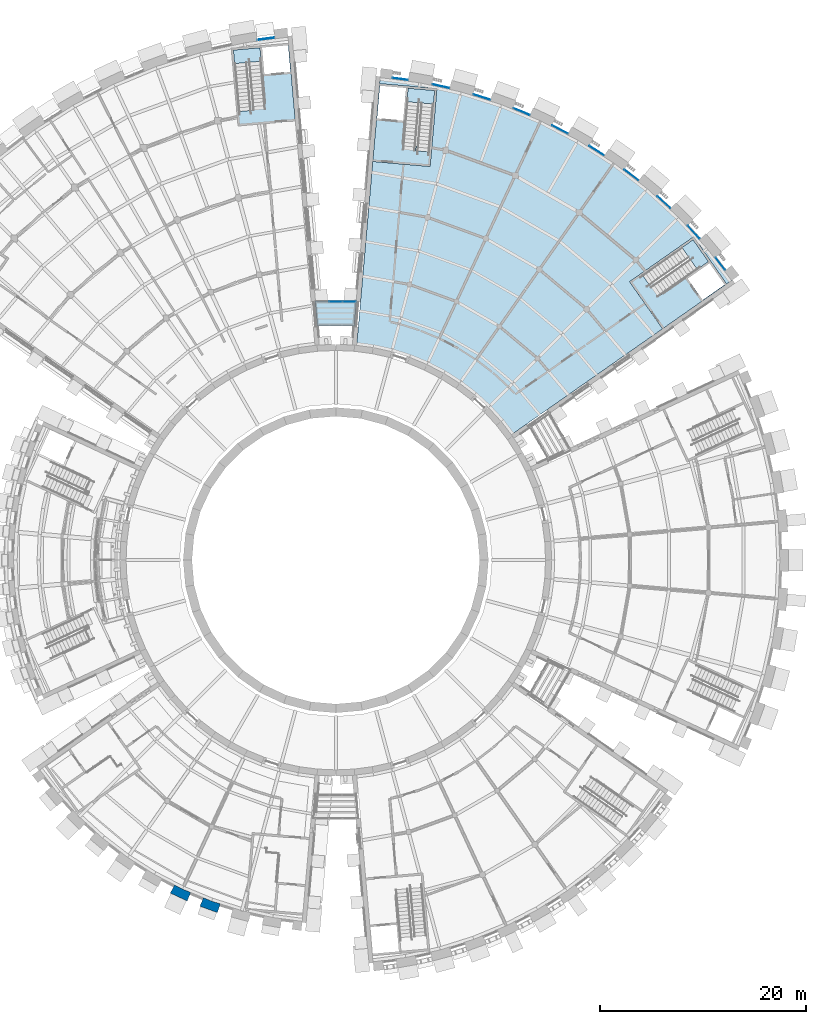
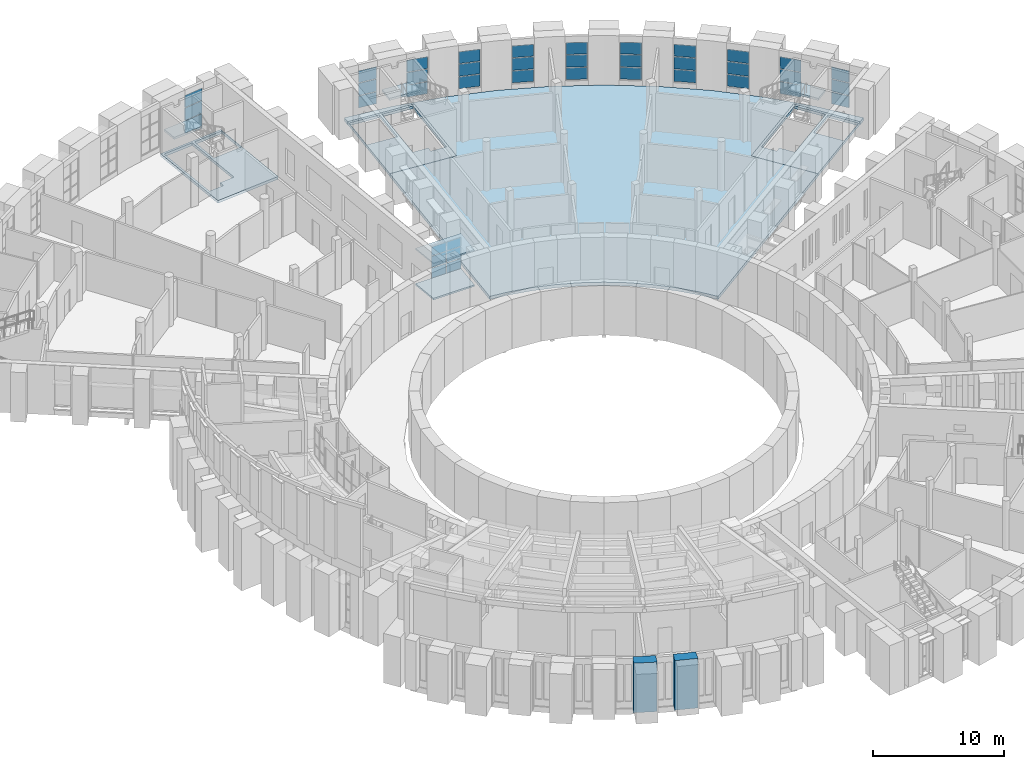
# One storey, part 35 of 66: 39 plates, 9 slabs, 2 walls, 15 elements without a shape of their own.
"""IFC4 building model written with IfcOpenShell, lengths in metres."""

from ifc_helpers import new_model, si_unit, direction, frame, origin, origin_2d, place, context, subcontext, project, spatial, polyline, rectangle, outline, extrude, material, layer, layer_set, type_object, element, aggregate, save


model = new_model("IFC4")

# Units and contexts
model_context = context("Model", 3, precision=1e-05, world=origin(), true_north=direction((0.0, 1.0)))
body_context = subcontext(model_context, "Body", "Model", "MODEL_VIEW")
ifc_project = project(units=[si_unit("LENGTHUNIT", "METRE"), si_unit("AREAUNIT", "SQUARE_METRE"), si_unit("VOLUMEUNIT", "CUBIC_METRE"), si_unit("PLANEANGLEUNIT", "RADIAN"), si_unit("MASSUNIT", "GRAM", prefix="KILO")], contexts=[model_context])

# Site, building, storey
site_placement = place(None, origin())
site = spatial("IfcSite", under=ifc_project, at=site_placement, CompositionType="ELEMENT")
building_placement = place(site_placement, origin())
building = spatial("IfcBuilding", under=site, at=building_placement, Name="Volute Hill Aquarium", CompositionType="ELEMENT")
storey_placement = place(building_placement, frame((0.0, 0.0, 4.60009765625)))
storey = spatial("IfcBuildingStorey", under=building, at=storey_placement, Name="L02", CompositionType="ELEMENT", Elevation=4.60009765625)

# Slab
ifc_material_1 = material(Name="Concrete C30/37", Category="concrete")
ifc_layer_1 = layer(ifc_material_1, 0.14990234375)
ifc_layer_set_1 = layer_set([ifc_layer_1], Name="Bridge deck slab C30/37 150")
slab_type_1 = type_object("IfcSlabType", Name="Bridge deck slab C30/37 150", PredefinedType="FLOOR", material=ifc_layer_set_1)
slab_1_placement = place(storey_placement, frame((0.0, 0.0, -0.150146484375)))
element("IfcSlab", 1, at=slab_1_placement, inside=storey, type_object=slab_type_1, Name="br/SC6/L02/deck", PredefinedType="FLOOR", context=body_context, shape_type="SweptSolid", body=[
    extrude(outline(polyline([(1.7939453125, 22.800048828125), (2.00390625, 25.199951171875), (-2.00390625, 25.199951171875), (-1.7939453125, 22.800048828125), (1.7939453125, 22.800048828125)])), origin(), (0.0, 0.0, 1.0), 0.150146484375),
])

# Curtain wall, plates
ifc_material_2 = material(Name="Aluminium and glass", Category="aluminium")
ifc_layer_2 = layer(ifc_material_2, 0.1201171875)
ifc_layer_set_2 = layer_set([ifc_layer_2], Name="Bridge curtain wall")
curtain_wall_type_1 = type_object("IfcCurtainWallType", Name="Bridge curtain wall", PredefinedType="NOTDEFINED", material=ifc_layer_set_2)
curtain_wall_1_placement = place(storey_placement, origin())
curtain_wall_1 = element("IfcCurtainWall", 2, at=curtain_wall_1_placement, inside=storey, type_object=curtain_wall_type_1, Name="br/SC6/L02/cwb", PredefinedType="NOTDEFINED")
ifc_material_3 = material(Name="Laminated glass", Category="glass")
ifc_layer_3 = layer(ifc_material_3, 0.028076171875)
ifc_layer_set_3 = layer_set([ifc_layer_3], Name="Bridge glass panel 28")
plate_type_1 = type_object("IfcPlateType", Name="Bridge glass panel 28", PredefinedType="CURTAIN_PANEL", material=ifc_layer_set_3)
plate_1_placement = place(storey_placement, frame((1.3173828125, 25.139892578125, 0.06005859375), z_axis=(0.0, 0.0, 1.0), x_axis=(-1.0, 0.0, 0.0)))
plate_1 = element("IfcPlate", 3, at=plate_1_placement, type_object=plate_type_1, Name="BR5 panel 1.1", PredefinedType="CURTAIN_PANEL", context=body_context, shape_type="SweptSolid", body=[
    extrude(rectangle(XDim=1.242431640625, YDim=0.028076171875, at=origin_2d()), origin(), (0.0, 0.0, 1.0), 0.909912109375),
])
plate_2_placement = place(storey_placement, frame((1.3173828125, 25.139892578125, 1.02978515625), z_axis=(0.0, 0.0, 1.0), x_axis=(-1.0, 0.0, 0.0)))
plate_2 = element("IfcPlate", 4, at=plate_2_placement, type_object=plate_type_1, Name="BR5 panel 1.2", PredefinedType="CURTAIN_PANEL", context=body_context, shape_type="SweptSolid", body=[
    extrude(rectangle(XDim=1.242431640625, YDim=0.028076171875, at=origin_2d()), origin(), (0.0, 0.0, 1.0), 1.0400390625),
])
plate_3_placement = place(storey_placement, frame((1.3173828125, 25.139892578125, 2.1298828125), z_axis=(0.0, 0.0, 1.0), x_axis=(-1.0, 0.0, 0.0)))
plate_3 = element("IfcPlate", 5, at=plate_3_placement, type_object=plate_type_1, Name="BR5 panel 1.3", PredefinedType="CURTAIN_PANEL", context=body_context, shape_type="SweptSolid", body=[
    extrude(rectangle(XDim=1.242431640625, YDim=0.028076171875, at=origin_2d()), origin(), (0.0, 0.0, 1.0), 0.81005859375),
])
plate_4_placement = place(storey_placement, frame((0.0, 25.139892578125, 0.06005859375), z_axis=(0.0, 0.0, 1.0), x_axis=(-1.0, 0.0, 0.0)))
plate_4 = element("IfcPlate", 6, at=plate_4_placement, type_object=plate_type_1, Name="BR5 panel 2.1", PredefinedType="CURTAIN_PANEL", context=body_context, shape_type="SweptSolid", body=[
    extrude(rectangle(XDim=1.2724609375, YDim=0.028076171875, at=origin_2d()), origin(), (0.0, 0.0, 1.0), 0.909912109375),
])
plate_5_placement = place(storey_placement, frame((0.0, 25.139892578125, 1.02978515625), z_axis=(0.0, 0.0, 1.0), x_axis=(-1.0, 0.0, 0.0)))
plate_5 = element("IfcPlate", 7, at=plate_5_placement, type_object=plate_type_1, Name="BR5 panel 2.2", PredefinedType="CURTAIN_PANEL", context=body_context, shape_type="SweptSolid", body=[
    extrude(rectangle(XDim=1.2724609375, YDim=0.028076171875, at=origin_2d()), origin(), (0.0, 0.0, 1.0), 1.0400390625),
])
plate_6_placement = place(storey_placement, frame((0.0, 25.139892578125, 2.1298828125), z_axis=(0.0, 0.0, 1.0), x_axis=(-1.0, 0.0, 0.0)))
plate_6 = element("IfcPlate", 8, at=plate_6_placement, type_object=plate_type_1, Name="BR5 panel 2.3", PredefinedType="CURTAIN_PANEL", context=body_context, shape_type="SweptSolid", body=[
    extrude(rectangle(XDim=1.2724609375, YDim=0.028076171875, at=origin_2d()), origin(), (0.0, 0.0, 1.0), 0.81005859375),
])
aggregate(curtain_wall_1, [plate_1, plate_2, plate_3, plate_4, plate_5, plate_6])

# Slabs
ifc_material_4 = material(Name="Concrete C30/37", Category="concrete")
ifc_layer_4 = layer(ifc_material_4, 0.1201171875)
ifc_layer_set_4 = layer_set([ifc_layer_4], Name="Bridge roof slab C30/37 120")
slab_type_2 = type_object("IfcSlabType", Name="Bridge roof slab C30/37 120", PredefinedType="ROOF", material=ifc_layer_set_4)
slab_2_placement = place(storey_placement, frame((0.0, 0.0, 3.15185546875)))
element("IfcSlab", 9, at=slab_2_placement, inside=storey, type_object=slab_type_2, Name="br/SC6/L02/roof", PredefinedType="ROOF", context=body_context, shape_type="SweptSolid", body=[
    extrude(outline(polyline([(1.7939453125, 22.800048828125), (2.00390625, 25.199951171875), (-2.00390625, 25.199951171875), (-1.7939453125, 22.800048828125), (1.7939453125, 22.800048828125)])), origin(), (0.0, 0.0, 1.0), 0.1201171875),
])
ifc_material_5 = material(Name="Concrete C30/37", Category="concrete")
ifc_layer_5 = layer(ifc_material_5, 0.25)
ifc_layer_set_5 = layer_set([ifc_layer_5], Name="Core floor slab 250")
slab_type_3 = type_object("IfcSlabType", Name="Core floor slab 250", PredefinedType="FLOOR", material=ifc_layer_set_5)
slab_3_placement = place(storey_placement, frame((0.0, 0.0, -0.25)))
element("IfcSlab", 10, at=slab_3_placement, inside=storey, type_object=slab_type_3, Name="cs/S5-A/L02", PredefinedType="FLOOR", context=body_context, shape_type="SweptSolid", body=[
    extrude(outline(polyline([(31.791259765625, 22.504638671875), (38.016845703125, 26.86376953125), (34.8046875, 31.451171875), (28.5791015625, 27.091796875), (31.791259765625, 22.504638671875)]), holes=[polyline([(34.23193359375, 27.3876953125), (36.36181640625, 28.87890625), (37.82421875, 26.7900390625), (35.694580078125, 25.298828125), (34.23193359375, 27.3876953125)]), polyline([(30.955078125, 26.92431640625), (30.587890625, 26.667236328125), (29.84228515625, 27.732177734375), (34.755615234375, 31.172607421875), (36.2470703125, 29.042724609375), (31.70068359375, 25.859375), (30.955078125, 26.92431640625)])]), origin(), (0.0, 0.0, 1.0), 0.25),
])
slab_4_placement = place(storey_placement, frame((0.0, 0.0, -0.25)))
element("IfcSlab", 11, at=slab_4_placement, inside=storey, type_object=slab_type_3, Name="cs/S5-B/L02", PredefinedType="FLOOR", context=body_context, shape_type="SweptSolid", body=[
    extrude(outline(polyline([(9.172607421875, 38.29638671875), (9.8349609375, 45.867431640625), (4.25634765625, 46.35546875), (3.593994140625, 38.784423828125), (9.172607421875, 38.29638671875)]), holes=[polyline([(4.009765625, 42.964111328125), (4.288818359375, 46.15185546875), (6.8291015625, 45.9296875), (6.550048828125, 42.74169921875), (4.009765625, 42.964111328125)]), polyline([(6.54443359375, 40.38330078125), (7.0283203125, 45.912109375), (9.618408203125, 45.685546875), (9.095703125, 39.71044921875), (7.800537109375, 39.82373046875), (7.839599609375, 40.27001953125), (6.54443359375, 40.38330078125)])]), origin(), (0.0, 0.0, 1.0), 0.25),
])
slab_5_placement = place(storey_placement, frame((0.0, 0.0, -0.25)))
element("IfcSlab", 12, at=slab_5_placement, inside=storey, type_object=slab_type_3, Name="cs/S6-A/L02", PredefinedType="FLOOR", context=body_context, shape_type="SweptSolid", body=[
    extrude(outline(polyline([(-3.938232421875, 42.71923828125), (-4.6005859375, 50.290283203125), (-10.17919921875, 49.80224609375), (-9.516845703125, 42.231201171875), (-3.938232421875, 42.71923828125)]), holes=[polyline([(-6.94677734375, 47.2744140625), (-7.17333984375, 49.864501953125), (-4.633056640625, 50.0869140625), (-4.406494140625, 47.49658203125), (-6.94677734375, 47.2744140625)]), polyline([(-8.183837890625, 44.204833984375), (-8.144775390625, 43.758544921875), (-9.43994140625, 43.645263671875), (-9.962646484375, 49.62060546875), (-7.37255859375, 49.84716796875), (-6.888916015625, 44.318115234375), (-8.183837890625, 44.204833984375)])]), origin(), (0.0, 0.0, 1.0), 0.25),
])

# Curtain wall, plates
ifc_material_6 = material(Name="Aluminium", Category="aluminium")
ifc_layer_6 = layer(ifc_material_6, 0.25)
ifc_layer_set_6 = layer_set([ifc_layer_6], Name="Curtain wall niche S5 module 1585")
curtain_wall_type_2 = type_object("IfcCurtainWallType", Name="Curtain wall niche S5 module 1585", PredefinedType="NOTDEFINED", material=ifc_layer_set_6)
curtain_wall_2_placement = place(storey_placement, origin())
curtain_wall_2 = element("IfcCurtainWall", 13, at=curtain_wall_2_placement, inside=storey, type_object=curtain_wall_type_2, Name="Curtain wall CW S5 L02 1", PredefinedType="NOTDEFINED")
ifc_material_7 = material(Name="Glass, low-iron laminated", Category="glass")
ifc_layer_7 = layer(ifc_material_7, 0.031982421875)
ifc_layer_set_7 = layer_set([ifc_layer_7], Name="Curtain wall glass panel S5 32")
plate_type_2 = type_object("IfcPlateType", Name="Curtain wall glass panel S5 32", PredefinedType="CURTAIN_PANEL", material=ifc_layer_set_7)
plate_7_placement = place(storey_placement, frame((37.408935546875, 28.8310546875, 0.510009765625), z_axis=(0.0, 0.0, 1.0), x_axis=(-0.608751946393, 0.793360616468, 0.0)))
plate_7 = element("IfcPlate", 14, at=plate_7_placement, type_object=plate_type_2, Name="CW panel 1.1", PredefinedType="CURTAIN_PANEL", context=body_context, shape_type="SweptSolid", body=[
    extrude(rectangle(XDim=1.46533203125, YDim=0.031982421875, at=origin_2d()), origin(), (0.0, 0.0, 1.0), 1.09326171875),
])
plate_8_placement = place(storey_placement, frame((37.408935546875, 28.8310546875, 1.6630859375), z_axis=(0.0, 0.0, 1.0), x_axis=(-0.608751946393, 0.793360616468, 0.0)))
plate_8 = element("IfcPlate", 15, at=plate_8_placement, type_object=plate_type_2, Name="CW panel 1.2", PredefinedType="CURTAIN_PANEL", context=body_context, shape_type="SweptSolid", body=[
    extrude(rectangle(XDim=1.46533203125, YDim=0.031982421875, at=origin_2d()), origin(), (0.0, 0.0, 1.0), 1.123291015625),
])
plate_9_placement = place(storey_placement, frame((37.408935546875, 28.8310546875, 2.8466796875), z_axis=(0.0, 0.0, 1.0), x_axis=(-0.608751946393, 0.793360616468, 0.0)))
plate_9 = element("IfcPlate", 16, at=plate_9_placement, type_object=plate_type_2, Name="CW panel 1.3", PredefinedType="CURTAIN_PANEL", context=body_context, shape_type="SweptSolid", body=[
    extrude(rectangle(XDim=1.46533203125, YDim=0.031982421875, at=origin_2d()), origin(), (0.0, 0.0, 1.0), 1.09326171875),
])
aggregate(curtain_wall_2, [plate_7, plate_8, plate_9])

ifc_material_8 = material(Name="Aluminium", Category="aluminium")
ifc_layer_8 = layer(ifc_material_8, 0.25)
ifc_layer_set_8 = layer_set([ifc_layer_8], Name="Curtain wall niche S5 module 1786")
curtain_wall_type_3 = type_object("IfcCurtainWallType", Name="Curtain wall niche S5 module 1786", PredefinedType="NOTDEFINED", material=ifc_layer_set_8)
curtain_wall_3_placement = place(storey_placement, origin())
curtain_wall_3 = element("IfcCurtainWall", 17, at=curtain_wall_3_placement, inside=storey, type_object=curtain_wall_type_3, Name="Curtain wall CW S5 L02 2", PredefinedType="NOTDEFINED")
plate_10_placement = place(storey_placement, frame((34.8212890625, 31.907958984375, 0.510009765625), z_axis=(0.0, 0.0, 1.0), x_axis=(-0.675584631529, 0.737282446313, 0.0)))
plate_10 = element("IfcPlate", 18, at=plate_10_placement, type_object=plate_type_2, Name="CW panel 1.1", PredefinedType="CURTAIN_PANEL", context=body_context, shape_type="SweptSolid", body=[
    extrude(rectangle(XDim=1.66552734375, YDim=0.031982421875, at=origin_2d()), origin(), (0.0, 0.0, 1.0), 1.09326171875),
])
plate_11_placement = place(storey_placement, frame((34.8212890625, 31.907958984375, 1.6630859375), z_axis=(0.0, 0.0, 1.0), x_axis=(-0.675584631529, 0.737282446313, 0.0)))
plate_11 = element("IfcPlate", 19, at=plate_11_placement, type_object=plate_type_2, Name="CW panel 1.2", PredefinedType="CURTAIN_PANEL", context=body_context, shape_type="SweptSolid", body=[
    extrude(rectangle(XDim=1.66552734375, YDim=0.031982421875, at=origin_2d()), origin(), (0.0, 0.0, 1.0), 1.123291015625),
])
plate_12_placement = place(storey_placement, frame((34.8212890625, 31.907958984375, 2.8466796875), z_axis=(0.0, 0.0, 1.0), x_axis=(-0.675584631529, 0.737282446313, 0.0)))
plate_12 = element("IfcPlate", 20, at=plate_12_placement, type_object=plate_type_2, Name="CW panel 1.3", PredefinedType="CURTAIN_PANEL", context=body_context, shape_type="SweptSolid", body=[
    extrude(rectangle(XDim=1.66552734375, YDim=0.031982421875, at=origin_2d()), origin(), (0.0, 0.0, 1.0), 1.09326171875),
])
aggregate(curtain_wall_3, [plate_10, plate_11, plate_12])

curtain_wall_4_placement = place(storey_placement, origin())
curtain_wall_4 = element("IfcCurtainWall", 21, at=curtain_wall_4_placement, inside=storey, type_object=curtain_wall_type_3, Name="Curtain wall CW S5 L02 3", PredefinedType="NOTDEFINED")
plate_13_placement = place(storey_placement, frame((31.907958984375, 34.821533203125, 0.510009765625), z_axis=(0.0, 0.0, 1.0), x_axis=(-0.737282446313, 0.675584631529, 0.0)))
plate_13 = element("IfcPlate", 22, at=plate_13_placement, type_object=plate_type_2, Name="CW panel 1.1", PredefinedType="CURTAIN_PANEL", context=body_context, shape_type="SweptSolid", body=[
    extrude(rectangle(XDim=1.66552734375, YDim=0.031982421875, at=origin_2d()), origin(), (0.0, 0.0, 1.0), 1.09326171875),
])
plate_14_placement = place(storey_placement, frame((31.907958984375, 34.821533203125, 1.6630859375), z_axis=(0.0, 0.0, 1.0), x_axis=(-0.737282446313, 0.675584631529, 0.0)))
plate_14 = element("IfcPlate", 23, at=plate_14_placement, type_object=plate_type_2, Name="CW panel 1.2", PredefinedType="CURTAIN_PANEL", context=body_context, shape_type="SweptSolid", body=[
    extrude(rectangle(XDim=1.66552734375, YDim=0.031982421875, at=origin_2d()), origin(), (0.0, 0.0, 1.0), 1.123291015625),
])
plate_15_placement = place(storey_placement, frame((31.907958984375, 34.821533203125, 2.8466796875), z_axis=(0.0, 0.0, 1.0), x_axis=(-0.737282446313, 0.675584631529, 0.0)))
plate_15 = element("IfcPlate", 24, at=plate_15_placement, type_object=plate_type_2, Name="CW panel 1.3", PredefinedType="CURTAIN_PANEL", context=body_context, shape_type="SweptSolid", body=[
    extrude(rectangle(XDim=1.66552734375, YDim=0.031982421875, at=origin_2d()), origin(), (0.0, 0.0, 1.0), 1.09326171875),
])
aggregate(curtain_wall_4, [plate_13, plate_14, plate_15])

curtain_wall_5_placement = place(storey_placement, origin())
curtain_wall_5 = element("IfcCurtainWall", 25, at=curtain_wall_5_placement, inside=storey, type_object=curtain_wall_type_3, Name="Curtain wall CW S5 L02 4", PredefinedType="NOTDEFINED")
plate_16_placement = place(storey_placement, frame((28.751708984375, 37.4697265625, 0.510009765625), z_axis=(0.0, 0.0, 1.0), x_axis=(-0.793358325379, 0.608754932261, 0.0)))
plate_16 = element("IfcPlate", 26, at=plate_16_placement, type_object=plate_type_2, Name="CW panel 1.1", PredefinedType="CURTAIN_PANEL", context=body_context, shape_type="SweptSolid", body=[
    extrude(rectangle(XDim=1.66552734375, YDim=0.031982421875, at=origin_2d()), origin(), (0.0, 0.0, 1.0), 1.09326171875),
])
plate_17_placement = place(storey_placement, frame((28.751708984375, 37.4697265625, 1.6630859375), z_axis=(0.0, 0.0, 1.0), x_axis=(-0.793358325379, 0.608754932261, 0.0)))
plate_17 = element("IfcPlate", 27, at=plate_17_placement, type_object=plate_type_2, Name="CW panel 1.2", PredefinedType="CURTAIN_PANEL", context=body_context, shape_type="SweptSolid", body=[
    extrude(rectangle(XDim=1.66552734375, YDim=0.031982421875, at=origin_2d()), origin(), (0.0, 0.0, 1.0), 1.123291015625),
])
plate_18_placement = place(storey_placement, frame((28.751708984375, 37.4697265625, 2.8466796875), z_axis=(0.0, 0.0, 1.0), x_axis=(-0.793358325379, 0.608754932261, 0.0)))
plate_18 = element("IfcPlate", 28, at=plate_18_placement, type_object=plate_type_2, Name="CW panel 1.3", PredefinedType="CURTAIN_PANEL", context=body_context, shape_type="SweptSolid", body=[
    extrude(rectangle(XDim=1.66552734375, YDim=0.031982421875, at=origin_2d()), origin(), (0.0, 0.0, 1.0), 1.09326171875),
])
aggregate(curtain_wall_5, [plate_16, plate_17, plate_18])

curtain_wall_6_placement = place(storey_placement, origin())
curtain_wall_6 = element("IfcCurtainWall", 29, at=curtain_wall_6_placement, inside=storey, type_object=curtain_wall_type_3, Name="Curtain wall CW S5 L02 5", PredefinedType="NOTDEFINED")
plate_19_placement = place(storey_placement, frame((25.37646484375, 39.8330078125, 0.510009765625), z_axis=(0.0, 0.0, 1.0), x_axis=(-0.843385119444, 0.537309538629, 0.0)))
plate_19 = element("IfcPlate", 30, at=plate_19_placement, type_object=plate_type_2, Name="CW panel 1.1", PredefinedType="CURTAIN_PANEL", context=body_context, shape_type="SweptSolid", body=[
    extrude(rectangle(XDim=1.66552734375, YDim=0.031982421875, at=origin_2d()), origin(), (0.0, 0.0, 1.0), 1.09326171875),
])
plate_20_placement = place(storey_placement, frame((25.37646484375, 39.8330078125, 1.6630859375), z_axis=(0.0, 0.0, 1.0), x_axis=(-0.843385119444, 0.537309538629, 0.0)))
plate_20 = element("IfcPlate", 31, at=plate_20_placement, type_object=plate_type_2, Name="CW panel 1.2", PredefinedType="CURTAIN_PANEL", context=body_context, shape_type="SweptSolid", body=[
    extrude(rectangle(XDim=1.66552734375, YDim=0.031982421875, at=origin_2d()), origin(), (0.0, 0.0, 1.0), 1.123291015625),
])
plate_21_placement = place(storey_placement, frame((25.37646484375, 39.8330078125, 2.8466796875), z_axis=(0.0, 0.0, 1.0), x_axis=(-0.843385119444, 0.537309538629, 0.0)))
plate_21 = element("IfcPlate", 32, at=plate_21_placement, type_object=plate_type_2, Name="CW panel 1.3", PredefinedType="CURTAIN_PANEL", context=body_context, shape_type="SweptSolid", body=[
    extrude(rectangle(XDim=1.66552734375, YDim=0.031982421875, at=origin_2d()), origin(), (0.0, 0.0, 1.0), 1.09326171875),
])
aggregate(curtain_wall_6, [plate_19, plate_20, plate_21])

curtain_wall_7_placement = place(storey_placement, origin())
curtain_wall_7 = element("IfcCurtainWall", 33, at=curtain_wall_7_placement, inside=storey, type_object=curtain_wall_type_3, Name="Curtain wall CW S5 L02 6", PredefinedType="NOTDEFINED")
plate_22_placement = place(storey_placement, frame((21.808349609375, 41.893310546875, 0.510009765625), z_axis=(0.0, 0.0, 1.0), x_axis=(-0.887007467928, 0.461755077763, 0.0)))
plate_22 = element("IfcPlate", 34, at=plate_22_placement, type_object=plate_type_2, Name="CW panel 1.1", PredefinedType="CURTAIN_PANEL", context=body_context, shape_type="SweptSolid", body=[
    extrude(rectangle(XDim=1.66552734375, YDim=0.031982421875, at=origin_2d()), origin(), (0.0, 0.0, 1.0), 1.09326171875),
])
plate_23_placement = place(storey_placement, frame((21.808349609375, 41.893310546875, 1.6630859375), z_axis=(0.0, 0.0, 1.0), x_axis=(-0.887007467928, 0.461755077763, 0.0)))
plate_23 = element("IfcPlate", 35, at=plate_23_placement, type_object=plate_type_2, Name="CW panel 1.2", PredefinedType="CURTAIN_PANEL", context=body_context, shape_type="SweptSolid", body=[
    extrude(rectangle(XDim=1.66552734375, YDim=0.031982421875, at=origin_2d()), origin(), (0.0, 0.0, 1.0), 1.123291015625),
])
plate_24_placement = place(storey_placement, frame((21.808349609375, 41.893310546875, 2.8466796875), z_axis=(0.0, 0.0, 1.0), x_axis=(-0.887007467928, 0.461755077763, 0.0)))
plate_24 = element("IfcPlate", 36, at=plate_24_placement, type_object=plate_type_2, Name="CW panel 1.3", PredefinedType="CURTAIN_PANEL", context=body_context, shape_type="SweptSolid", body=[
    extrude(rectangle(XDim=1.66552734375, YDim=0.031982421875, at=origin_2d()), origin(), (0.0, 0.0, 1.0), 1.09326171875),
])
aggregate(curtain_wall_7, [plate_22, plate_23, plate_24])

curtain_wall_8_placement = place(storey_placement, origin())
curtain_wall_8 = element("IfcCurtainWall", 37, at=curtain_wall_8_placement, inside=storey, type_object=curtain_wall_type_3, Name="Curtain wall CW S5 L02 7", PredefinedType="NOTDEFINED")
plate_25_placement = place(storey_placement, frame((18.073974609375, 43.634521484375, 0.510009765625), z_axis=(0.0, 0.0, 1.0), x_axis=(-0.923878338901, 0.382686313983, 0.0)))
plate_25 = element("IfcPlate", 38, at=plate_25_placement, type_object=plate_type_2, Name="CW panel 1.1", PredefinedType="CURTAIN_PANEL", context=body_context, shape_type="SweptSolid", body=[
    extrude(rectangle(XDim=1.66552734375, YDim=0.031982421875, at=origin_2d()), origin(), (0.0, 0.0, 1.0), 1.09326171875),
])
plate_26_placement = place(storey_placement, frame((18.073974609375, 43.634521484375, 1.6630859375), z_axis=(0.0, 0.0, 1.0), x_axis=(-0.923878338901, 0.382686313983, 0.0)))
plate_26 = element("IfcPlate", 39, at=plate_26_placement, type_object=plate_type_2, Name="CW panel 1.2", PredefinedType="CURTAIN_PANEL", context=body_context, shape_type="SweptSolid", body=[
    extrude(rectangle(XDim=1.66552734375, YDim=0.031982421875, at=origin_2d()), origin(), (0.0, 0.0, 1.0), 1.123291015625),
])
plate_27_placement = place(storey_placement, frame((18.073974609375, 43.634521484375, 2.8466796875), z_axis=(0.0, 0.0, 1.0), x_axis=(-0.923878338901, 0.382686313983, 0.0)))
plate_27 = element("IfcPlate", 40, at=plate_27_placement, type_object=plate_type_2, Name="CW panel 1.3", PredefinedType="CURTAIN_PANEL", context=body_context, shape_type="SweptSolid", body=[
    extrude(rectangle(XDim=1.66552734375, YDim=0.031982421875, at=origin_2d()), origin(), (0.0, 0.0, 1.0), 1.09326171875),
])
aggregate(curtain_wall_8, [plate_25, plate_26, plate_27])

curtain_wall_9_placement = place(storey_placement, origin())
curtain_wall_9 = element("IfcCurtainWall", 41, at=curtain_wall_9_placement, inside=storey, type_object=curtain_wall_type_3, Name="Curtain wall CW S5 L02 8", PredefinedType="NOTDEFINED")
plate_28_placement = place(storey_placement, frame((14.202392578125, 45.043701171875, 0.510009765625), z_axis=(0.0, 0.0, 1.0), x_axis=(-0.953717653977, 0.300703569139, 0.0)))
plate_28 = element("IfcPlate", 42, at=plate_28_placement, type_object=plate_type_2, Name="CW panel 1.1", PredefinedType="CURTAIN_PANEL", context=body_context, shape_type="SweptSolid", body=[
    extrude(rectangle(XDim=1.66552734375, YDim=0.031982421875, at=origin_2d()), origin(), (0.0, 0.0, 1.0), 1.09326171875),
])
plate_29_placement = place(storey_placement, frame((14.202392578125, 45.043701171875, 1.6630859375), z_axis=(0.0, 0.0, 1.0), x_axis=(-0.953717653977, 0.300703569139, 0.0)))
plate_29 = element("IfcPlate", 43, at=plate_29_placement, type_object=plate_type_2, Name="CW panel 1.2", PredefinedType="CURTAIN_PANEL", context=body_context, shape_type="SweptSolid", body=[
    extrude(rectangle(XDim=1.66552734375, YDim=0.031982421875, at=origin_2d()), origin(), (0.0, 0.0, 1.0), 1.123291015625),
])
plate_30_placement = place(storey_placement, frame((14.202392578125, 45.043701171875, 2.8466796875), z_axis=(0.0, 0.0, 1.0), x_axis=(-0.953717653977, 0.300703569139, 0.0)))
plate_30 = element("IfcPlate", 44, at=plate_30_placement, type_object=plate_type_2, Name="CW panel 1.3", PredefinedType="CURTAIN_PANEL", context=body_context, shape_type="SweptSolid", body=[
    extrude(rectangle(XDim=1.66552734375, YDim=0.031982421875, at=origin_2d()), origin(), (0.0, 0.0, 1.0), 1.09326171875),
])
aggregate(curtain_wall_9, [plate_28, plate_29, plate_30])

curtain_wall_10_placement = place(storey_placement, origin())
curtain_wall_10 = element("IfcCurtainWall", 45, at=curtain_wall_10_placement, inside=storey, type_object=curtain_wall_type_3, Name="Curtain wall CW S5 L02 9", PredefinedType="NOTDEFINED")
plate_31_placement = place(storey_placement, frame((10.222412109375, 46.110107421875, 0.510009765625), z_axis=(0.0, 0.0, 1.0), x_axis=(-0.976299855617, 0.216422253758, 0.0)))
plate_31 = element("IfcPlate", 46, at=plate_31_placement, type_object=plate_type_2, Name="CW panel 1.1", PredefinedType="CURTAIN_PANEL", context=body_context, shape_type="SweptSolid", body=[
    extrude(rectangle(XDim=1.66552734375, YDim=0.031982421875, at=origin_2d()), origin(), (0.0, 0.0, 1.0), 1.09326171875),
])
plate_32_placement = place(storey_placement, frame((10.222412109375, 46.110107421875, 1.6630859375), z_axis=(0.0, 0.0, 1.0), x_axis=(-0.976299855617, 0.216422253758, 0.0)))
plate_32 = element("IfcPlate", 47, at=plate_32_placement, type_object=plate_type_2, Name="CW panel 1.2", PredefinedType="CURTAIN_PANEL", context=body_context, shape_type="SweptSolid", body=[
    extrude(rectangle(XDim=1.66552734375, YDim=0.031982421875, at=origin_2d()), origin(), (0.0, 0.0, 1.0), 1.123291015625),
])
plate_33_placement = place(storey_placement, frame((10.222412109375, 46.110107421875, 2.8466796875), z_axis=(0.0, 0.0, 1.0), x_axis=(-0.976299855617, 0.216422253758, 0.0)))
plate_33 = element("IfcPlate", 48, at=plate_33_placement, type_object=plate_type_2, Name="CW panel 1.3", PredefinedType="CURTAIN_PANEL", context=body_context, shape_type="SweptSolid", body=[
    extrude(rectangle(XDim=1.66552734375, YDim=0.031982421875, at=origin_2d()), origin(), (0.0, 0.0, 1.0), 1.09326171875),
])
aggregate(curtain_wall_10, [plate_31, plate_32, plate_33])

curtain_wall_11_placement = place(storey_placement, origin())
curtain_wall_11 = element("IfcCurtainWall", 49, at=curtain_wall_11_placement, inside=storey, type_object=curtain_wall_type_2, Name="Curtain wall CW S5 L02 10", PredefinedType="NOTDEFINED")
plate_34_placement = place(storey_placement, frame((6.263916015625, 46.8125, 0.510009765625), z_axis=(0.0, 0.0, 1.0), x_axis=(-0.991443171246, 0.130539029372, 0.0)))
plate_34 = element("IfcPlate", 50, at=plate_34_placement, type_object=plate_type_2, Name="CW panel 1.1", PredefinedType="CURTAIN_PANEL", context=body_context, shape_type="SweptSolid", body=[
    extrude(rectangle(XDim=1.46533203125, YDim=0.031982421875, at=origin_2d()), origin(), (0.0, 0.0, 1.0), 1.09326171875),
])
plate_35_placement = place(storey_placement, frame((6.263916015625, 46.8125, 1.6630859375), z_axis=(0.0, 0.0, 1.0), x_axis=(-0.991443171246, 0.130539029372, 0.0)))
plate_35 = element("IfcPlate", 51, at=plate_35_placement, type_object=plate_type_2, Name="CW panel 1.2", PredefinedType="CURTAIN_PANEL", context=body_context, shape_type="SweptSolid", body=[
    extrude(rectangle(XDim=1.46533203125, YDim=0.031982421875, at=origin_2d()), origin(), (0.0, 0.0, 1.0), 1.123291015625),
])
plate_36_placement = place(storey_placement, frame((6.263916015625, 46.8125, 2.8466796875), z_axis=(0.0, 0.0, 1.0), x_axis=(-0.991443171246, 0.130539029372, 0.0)))
plate_36 = element("IfcPlate", 52, at=plate_36_placement, type_object=plate_type_2, Name="CW panel 1.3", PredefinedType="CURTAIN_PANEL", context=body_context, shape_type="SweptSolid", body=[
    extrude(rectangle(XDim=1.46533203125, YDim=0.031982421875, at=origin_2d()), origin(), (0.0, 0.0, 1.0), 1.09326171875),
])
aggregate(curtain_wall_11, [plate_34, plate_35, plate_36])

ifc_material_9 = material(Name="Aluminium", Category="aluminium")
ifc_layer_9 = layer(ifc_material_9, 0.25)
ifc_layer_set_9 = layer_set([ifc_layer_9], Name="Curtain wall niche S6 module 1734")
curtain_wall_type_4 = type_object("IfcCurtainWallType", Name="Curtain wall niche S6 module 1734", PredefinedType="NOTDEFINED", material=ifc_layer_set_9)
curtain_wall_12_placement = place(storey_placement, origin())
curtain_wall_12 = element("IfcCurtainWall", 53, at=curtain_wall_12_placement, inside=storey, type_object=curtain_wall_type_4, Name="Curtain wall CW S6 L02 1", PredefinedType="NOTDEFINED")
ifc_material_10 = material(Name="Glass, low-iron laminated", Category="glass")
ifc_layer_10 = layer(ifc_material_10, 0.031982421875)
ifc_layer_set_10 = layer_set([ifc_layer_10], Name="Curtain wall glass panel S6 32")
plate_type_3 = type_object("IfcPlateType", Name="Curtain wall glass panel S6 32", PredefinedType="CURTAIN_PANEL", material=ifc_layer_set_10)
plate_37_placement = place(storey_placement, frame((-6.779052734375, 50.72509765625, 1.675048828125), z_axis=(0.0, 0.0, 1.0), x_axis=(-0.99144508504, -0.130524493298, 0.0)))
plate_37 = element("IfcPlate", 54, at=plate_37_placement, type_object=plate_type_3, Name="CW panel 1.2", PredefinedType="CURTAIN_PANEL", context=body_context, shape_type="SweptSolid", body=[
    extrude(rectangle(XDim=1.633544921875, YDim=0.031982421875, at=origin_2d()), origin(), (0.0, 0.0, 1.0), 1.14990234375),
])
plate_38_placement = place(storey_placement, frame((-6.779052734375, 50.72509765625, 2.875), z_axis=(0.0, 0.0, 1.0), x_axis=(-0.99144508504, -0.130524493298, 0.0)))
plate_38 = element("IfcPlate", 55, at=plate_38_placement, type_object=plate_type_3, Name="CW panel 1.3", PredefinedType="CURTAIN_PANEL", context=body_context, shape_type="SweptSolid", body=[
    extrude(rectangle(XDim=1.633544921875, YDim=0.031982421875, at=origin_2d()), origin(), (0.0, 0.0, 1.0), 1.125),
])
ifc_material_11 = material(Name="Aluminium", Category="aluminium")
ifc_layer_11 = layer(ifc_material_11, 0.06005859375)
ifc_layer_set_11 = layer_set([ifc_layer_11], Name="Curtain wall insulated spandrel panel 60")
plate_type_4 = type_object("IfcPlateType", Name="Curtain wall insulated spandrel panel 60", PredefinedType="CURTAIN_PANEL", material=ifc_layer_set_11)
plate_39_placement = place(storey_placement, frame((-6.779052734375, 50.72509765625, 0.5), z_axis=(0.0, 0.0, 1.0), x_axis=(-0.99144508504, -0.130524493298, 0.0)))
plate_39 = element("IfcPlate", 56, at=plate_39_placement, type_object=plate_type_4, Name="CW panel 1.1", PredefinedType="CURTAIN_PANEL", context=body_context, shape_type="SweptSolid", body=[
    extrude(rectangle(XDim=1.633544921875, YDim=0.06005859375, at=origin_2d()), origin(), (0.0, 0.0, 1.0), 1.125),
])
aggregate(curtain_wall_12, [plate_39, plate_37, plate_38])

# Slab
ifc_material_12 = material(Name="Concrete C35/45", Category="concrete")
ifc_layer_12 = layer(ifc_material_12, 0.2900390625)
ifc_layer_set_12 = layer_set([ifc_layer_12], Name="Floor slab 290 C35/45")
slab_type_4 = type_object("IfcSlabType", Name="Floor slab 290 C35/45", PredefinedType="FLOOR", material=ifc_layer_set_12)
slab_6_placement = place(storey_placement, frame((0.0, 0.0, -0.2900390625)))
element("IfcSlab", 57, at=slab_6_placement, inside=storey, type_object=slab_type_4, Name="fl/S5/L02/1", PredefinedType="FLOOR", context=body_context, shape_type="SweptSolid", body=[
    extrude(outline(polyline([(8.1875, 46.43359375), (12.203369140625, 45.54345703125), (16.126220703125, 44.306396484375), (19.926513671875, 42.732421875), (23.574951171875, 40.8330078125), (27.044189453125, 38.623046875), (30.307373046875, 36.118896484375), (33.340087890625, 33.340087890625), (36.118896484375, 30.307373046875), (38.501220703125, 27.202880859375), (38.016845703125, 26.86376953125), (34.8046875, 31.451171875), (28.5791015625, 27.091796875), (31.791259765625, 22.504638671875), (17.080322265625, 12.203857421875), (16.0869140625, 13.49853515625), (14.84912109375, 14.84912109375), (13.49853515625, 16.0869140625), (12.045166015625, 17.2021484375), (10.5, 18.1865234375), (8.875, 19.032470703125), (7.182373046875, 19.7333984375), (5.435302734375, 20.284423828125), (3.646484375, 20.680908203125), (2.02880859375, 20.89404296875), (3.94580078125, 42.804443359375), (3.593994140625, 38.784423828125), (9.172607421875, 38.29638671875), (9.8349609375, 45.867431640625), (4.25634765625, 46.35546875), (4.307861328125, 46.944580078125), (8.1875, 46.43359375)])), origin(), (0.0, 0.0, 1.0), 0.2900390625),
])

# Stair, slab
ifc_material_13 = material(Name="Concrete C35/45", Category="concrete")
stair_type = type_object("IfcStairType", Name="Stair C35/45", PredefinedType="HALF_TURN_STAIR", material=ifc_material_13)
stair_1_placement = place(storey_placement, origin())
stair_1 = element("IfcStair", 58, at=stair_1_placement, inside=storey, type_object=stair_type, Name="ST/S5-A/L02", PredefinedType="HALF_TURN_STAIR")
ifc_material_14 = material(Name="Concrete C35/45", Category="concrete")
ifc_layer_13 = layer(ifc_material_14, 0.199951171875)
ifc_layer_set_13 = layer_set([ifc_layer_13], Name="Stair landing C35/45 200")
slab_type_5 = type_object("IfcSlabType", Name="Stair landing C35/45 200", PredefinedType="LANDING", material=ifc_layer_set_13)
slab_7_placement = place(storey_placement, frame((0.0, 0.0, 2.099853515625)))
slab_7 = element("IfcSlab", 59, at=slab_7_placement, type_object=slab_type_5, Name="ST-S5-A-02 landing 1", PredefinedType="LANDING", context=body_context, shape_type="SweptSolid", body=[
    extrude(outline(polyline([(35.1640625, 28.284423828125), (36.2470703125, 29.042724609375), (34.755615234375, 31.172607421875), (33.6728515625, 30.414306640625), (35.1640625, 28.284423828125)])), origin(), (0.0, 0.0, 1.0), 0.199951171875),
])
aggregate(stair_1, [slab_7])

stair_2_placement = place(storey_placement, origin())
stair_2 = element("IfcStair", 60, at=stair_2_placement, inside=storey, type_object=stair_type, Name="ST/S5-B/L02", PredefinedType="HALF_TURN_STAIR")
slab_8_placement = place(storey_placement, frame((0.0, 0.0, 2.099853515625)))
slab_8 = element("IfcSlab", 61, at=slab_8_placement, type_object=slab_type_5, Name="ST-S5-B-02 landing 1", PredefinedType="LANDING", context=body_context, shape_type="SweptSolid", body=[
    extrude(outline(polyline([(9.503173828125, 44.36865234375), (9.618408203125, 45.685546875), (7.0283203125, 45.912109375), (6.9130859375, 44.59521484375), (9.503173828125, 44.36865234375)])), origin(), (0.0, 0.0, 1.0), 0.199951171875),
])
aggregate(stair_2, [slab_8])

stair_3_placement = place(storey_placement, origin())
stair_3 = element("IfcStair", 62, at=stair_3_placement, inside=storey, type_object=stair_type, Name="ST/S6-A/L02", PredefinedType="HALF_TURN_STAIR")
slab_9_placement = place(storey_placement, frame((0.0, 0.0, 2.099853515625)))
slab_9 = element("IfcSlab", 63, at=slab_9_placement, type_object=slab_type_5, Name="ST-S6-A-02 landing 1", PredefinedType="LANDING", context=body_context, shape_type="SweptSolid", body=[
    extrude(outline(polyline([(-7.25732421875, 48.5302734375), (-7.37255859375, 49.84716796875), (-9.962646484375, 49.62060546875), (-9.847412109375, 48.3037109375), (-7.25732421875, 48.5302734375)])), origin(), (0.0, 0.0, 1.0), 0.199951171875),
])
aggregate(stair_3, [slab_9])

# Walls
ifc_material_15 = material(Name="Precast concrete C40/50", Category="concrete")
ifc_layer_14 = layer(ifc_material_15, 0.89990234375)
ifc_layer_set_14 = layer_set([ifc_layer_14], Name="Outer pier precast concrete C40/50 900")
wall_type = type_object("IfcWallType", Name="Outer pier precast concrete C40/50 900", PredefinedType="NOTDEFINED", material=ifc_layer_set_14)
wall_1_placement = place(storey_placement, origin())
element("IfcWall", 64, at=wall_1_placement, inside=storey, type_object=wall_type, Name="Outer pier OWP S2 L02 7", PredefinedType="NOTDEFINED", context=body_context, shape_type="SweptSolid", body=[
    extrude(outline(polyline([(-15.689208984375, -31.5908203125), (-16.104736328125, -32.38916015625), (-14.459716796875, -33.156494140625), (-14.115234375, -32.324951171875), (-14.918212890625, -31.9921875), (-15.689208984375, -31.5908203125)])), origin(), (0.0, 0.0, 1.0), 4.599853515625),
])
wall_2_placement = place(storey_placement, origin())
element("IfcWall", 65, at=wall_2_placement, inside=storey, type_object=wall_type, Name="Outer pier OWP S2 L02 8", PredefinedType="NOTDEFINED", context=body_context, shape_type="SweptSolid", body=[
    extrude(outline(polyline([(-12.876220703125, -32.838134765625), (-13.220703125, -33.669677734375), (-11.514892578125, -34.29052734375), (-11.244140625, -33.43212890625), (-12.0732421875, -33.170654296875), (-12.876220703125, -32.838134765625)])), origin(), (0.0, 0.0, 1.0), 4.599853515625),
])

save(model, "model.ifc")
